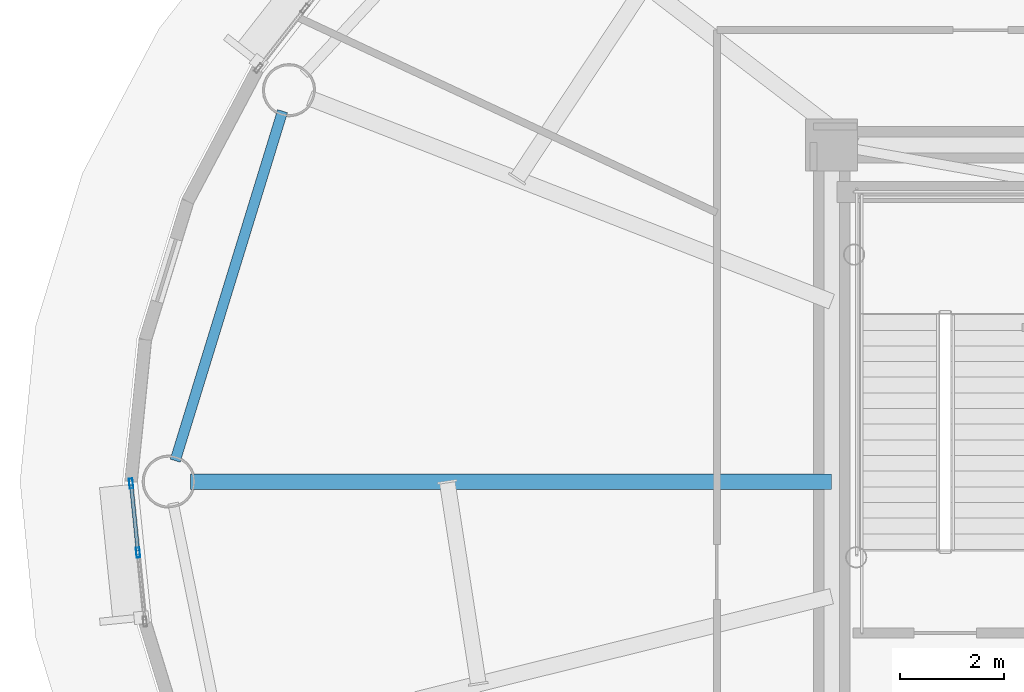
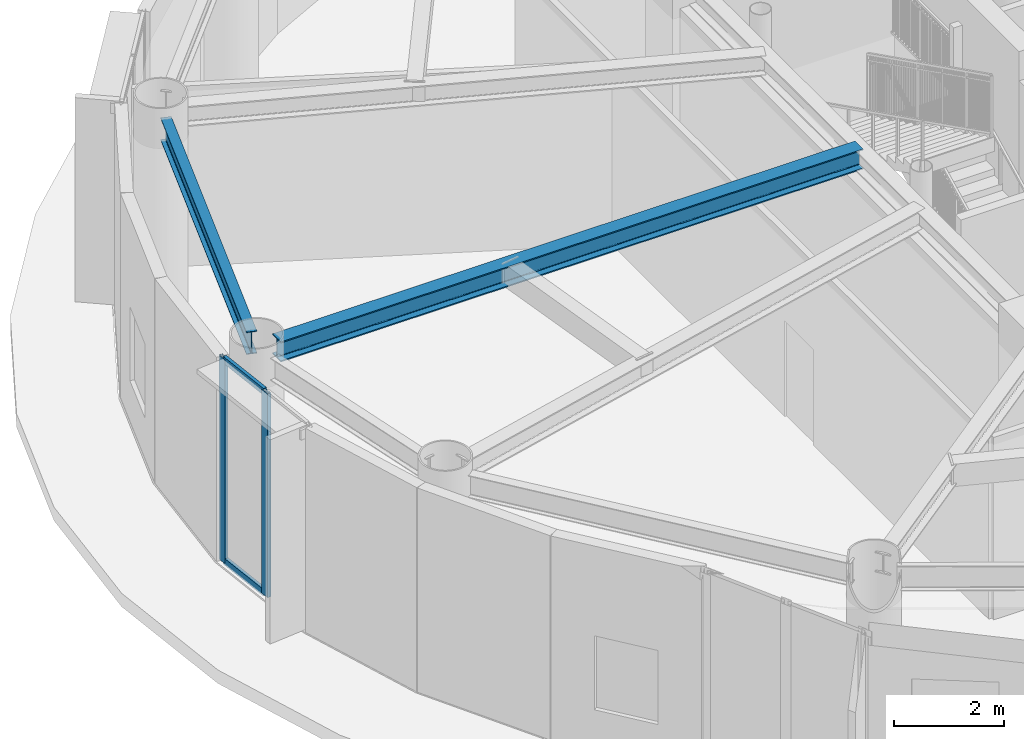
# One storey, part 10 of 32: 4 members, 2 beams, 1 element without a shape of its own.
"""IFC4 building model written with IfcOpenShell, lengths in metres."""

from ifc_helpers import new_model, si_unit, direction, frame, origin, origin_2d, place, context, subcontext, project, spatial, hollow_rectangle, i_section, extrude, source, transform, mapped, material, layer, layer_set, material_profile, profile_set, type_object, element, aggregate, save


model = new_model("IFC4")

# Units and contexts
model_context = context("Model", 3, precision=1e-05, world=origin(), true_north=direction((0.0, 1.0)))
body_context = subcontext(model_context, "Body", "Model", "MODEL_VIEW")
ifc_project = project(units=[si_unit("LENGTHUNIT", "METRE"), si_unit("AREAUNIT", "SQUARE_METRE"), si_unit("VOLUMEUNIT", "CUBIC_METRE"), si_unit("PLANEANGLEUNIT", "RADIAN"), si_unit("MASSUNIT", "GRAM", prefix="KILO")], contexts=[model_context])

# Site, building, storey
site_placement = place(None, origin())
site = spatial("IfcSite", under=ifc_project, at=site_placement, CompositionType="ELEMENT")
building_placement = place(site_placement, origin())
building = spatial("IfcBuilding", under=site, at=building_placement, Name="Linh Dai School and Residence Tower", CompositionType="ELEMENT")
storey_placement = place(building_placement, frame((0.0, 0.0, 268.199951171875)))
storey = spatial("IfcBuildingStorey", under=building, at=storey_placement, Name="L66", CompositionType="ELEMENT", Elevation=268.199951171875)

# Beams
ifc_material_1 = material(Name="Structural Steel S355JR", Category="steel")
ifc_material_profile_1 = material_profile(ifc_material_1, i_section(OverallWidth=0.199951171875, OverallDepth=0.5, WebThickness=0.01025390625, FlangeThickness=0.01611328125, FilletRadius=0.02099609375, at=origin_2d()), Name="IPE 500")
ifc_profile_set_1 = profile_set([ifc_material_profile_1], Name="Structural Steel S355JR")
beam_type_1 = type_object("IfcBeamType", Name="BM-RB50", PredefinedType="BEAM", material=ifc_profile_set_1)
beam_1_placement = place(storey_placement, frame((16.630615234375, 34.097900390625, 4.300048828125), z_axis=(-0.293681749834, -0.955903253376, 0.0), x_axis=(0.955903253376, -0.293681749834, 0.0)))
element("IfcBeam", 1, at=beam_1_placement, inside=storey, type_object=beam_type_1, Name="L66 Perimeter Elliptical Ring Beam 08", PredefinedType="BEAM", context=body_context, shape_type="SweptSolid", body=[
    extrude(i_section(OverallWidth=0.199951171875, OverallDepth=0.5, WebThickness=0.01025390625, FlangeThickness=0.01611328125, FilletRadius=0.02099609375, at=origin_2d()), origin(), (0.0, 0.0, 1.0), 7.00537109375),
])
ifc_material_profile_2 = material_profile(ifc_material_1, i_section(OverallWidth=0.300048828125, OverallDepth=0.449951171875, WebThickness=0.013916015625, FlangeThickness=0.02587890625, FilletRadius=0.027099609375, at=origin_2d()), Name="HEB 450")
ifc_profile_set_2 = profile_set([ifc_material_profile_2], Name="Structural Steel S355JR")
beam_type_2 = type_object("IfcBeamType", Name="BM-RG45", PredefinedType="BEAM", material=ifc_profile_set_2)
beam_2_placement = place(storey_placement, frame((27.14990234375, 27.0, 4.324951171875), z_axis=(-1.0, 0.0, 0.0), x_axis=(0.0, -1.0, 0.0)))
element("IfcBeam", 2, at=beam_2_placement, inside=storey, type_object=beam_type_2, Name="L66 Primary Radial Floor Girder 09", PredefinedType="BEAM", context=body_context, shape_type="SweptSolid", body=[
    extrude(i_section(OverallWidth=0.300048828125, OverallDepth=0.449951171875, WebThickness=0.013916015625, FlangeThickness=0.02587890625, FilletRadius=0.027099609375, at=origin_2d()), origin(), (0.0, 0.0, 1.0), 12.27978515625),
])

# Curtain wall, members
ifc_material_2 = material(Name="Aluminium Anodised Curtain Wall", Category="aluminium")
ifc_layer = layer(ifc_material_2, 0.18994140625)
ifc_layer_set = layer_set([ifc_layer], Name="Aluminium Anodised Curtain Wall")
curtain_wall_type = type_object("IfcCurtainWallType", Name="CW-SYS-5", PredefinedType="USERDEFINED", material=ifc_layer_set)
curtain_wall_placement = place(storey_placement, origin())
curtain_wall = element("IfcCurtainWall", 3, at=curtain_wall_placement, inside=storey, type_object=curtain_wall_type, Name="L66 CW5 Curtain Wall 21", ObjectType="UNITISED CURTAIN WALL", PredefinedType="USERDEFINED")
ifc_material_3 = material(Name="Aluminium Alloy 6063-T6", Category="aluminium")
ifc_material_profile_3 = material_profile(ifc_material_3, hollow_rectangle(XDim=0.070068359375, YDim=0.18994140625, WallThickness=0.00390625, at=origin_2d()), Name="RHS 190x70x4")
ifc_profile_set_3 = profile_set([ifc_material_profile_3], Name="Aluminium Alloy 6063-T6")
member_type_1 = type_object("IfcMemberType", Name="CW-SYS-5-MUL", PredefinedType="MULLION", material=ifc_profile_set_3)
shared_shape_1 = source(origin(), body_context, "Body", "SweptSolid", [
    extrude(hollow_rectangle(XDim=0.070068359375, YDim=0.18994140625, WallThickness=0.00390625, at=origin_2d()), origin(), (0.0, 0.0, 1.0), 4.550048828125),
])
member_1_placement = place(storey_placement, frame((13.861572265625, 25.640380859375, 0.0), z_axis=(0.0, 0.0, 1.0), x_axis=(-0.994986629598, -0.100008034283, 0.0)))
member_1 = element("IfcMember", 4, at=member_1_placement, type_object=member_type_1, Name="CW5 mullion 2", PredefinedType="MULLION", context=body_context, shape_type="MappedRepresentation", body=[
    mapped(shared_shape_1, transform((0.0, 0.0, 0.0), x_axis=(1.0, 0.0, 0.0), y_axis=(0.0, 1.0, 0.0), z_axis=(0.0, 0.0, 1.0), scale=1.0)),
])
member_2_placement = place(storey_placement, frame((13.728515625, 26.965087890625, 0.0), z_axis=(0.0, 0.0, 1.0), x_axis=(-0.994986629598, -0.100008034283, 0.0)))
member_2 = element("IfcMember", 5, at=member_2_placement, type_object=member_type_1, Name="CW5 mullion 3", PredefinedType="MULLION", context=body_context, shape_type="MappedRepresentation", body=[
    mapped(shared_shape_1, transform((0.0, 0.0, 0.0), x_axis=(1.0, 0.0, 0.0), y_axis=(0.0, 1.0, 0.0), z_axis=(0.0, 0.0, 1.0), scale=1.0)),
])
ifc_material_profile_4 = material_profile(ifc_material_3, hollow_rectangle(XDim=0.070068359375, YDim=0.14990234375, WallThickness=0.00390625, at=origin_2d()), Name="RHS 150x70x4")
ifc_profile_set_4 = profile_set([ifc_material_profile_4], Name="Aluminium Alloy 6063-T6")
member_type_2 = type_object("IfcMemberType", Name="CW-SYS-5-TRN", PredefinedType="USERDEFINED", material=ifc_profile_set_4)
shared_shape_2 = source(origin(), body_context, "Body", "SweptSolid", [
    extrude(hollow_rectangle(XDim=0.070068359375, YDim=0.14990234375, WallThickness=0.00390625, at=origin_2d()), origin(), (0.0, 0.0, 1.0), 1.261474609375),
])
member_3_placement = place(storey_placement, frame((13.858154296875, 25.67529296875, 0.03515625), z_axis=(-0.100059408128, 0.994981464574, 0.0), x_axis=(-0.994981464574, -0.100059408128, 0.0)))
member_3 = element("IfcMember", 6, at=member_3_placement, type_object=member_type_2, Name="CW5 transom 2.1", ObjectType="TRANSOM", PredefinedType="USERDEFINED", context=body_context, shape_type="MappedRepresentation", body=[
    mapped(shared_shape_2, transform((0.0, 0.0, 0.0), x_axis=(1.0, 0.0, 0.0), y_axis=(0.0, 1.0, 0.0), z_axis=(0.0, 0.0, 1.0), scale=1.0)),
])
member_4_placement = place(storey_placement, frame((13.858154296875, 25.67529296875, 4.51513671875), z_axis=(-0.100059408128, 0.994981464574, 0.0), x_axis=(-0.994981464574, -0.100059408128, 0.0)))
member_4 = element("IfcMember", 7, at=member_4_placement, type_object=member_type_2, Name="CW5 transom 2.2", ObjectType="TRANSOM", PredefinedType="USERDEFINED", context=body_context, shape_type="MappedRepresentation", body=[
    mapped(shared_shape_2, transform((0.0, 0.0, 0.0), x_axis=(1.0, 0.0, 0.0), y_axis=(0.0, 1.0, 0.0), z_axis=(0.0, 0.0, 1.0), scale=1.0)),
])
aggregate(curtain_wall, [member_1, member_2, member_3, member_4])

save(model, "model.ifc")
